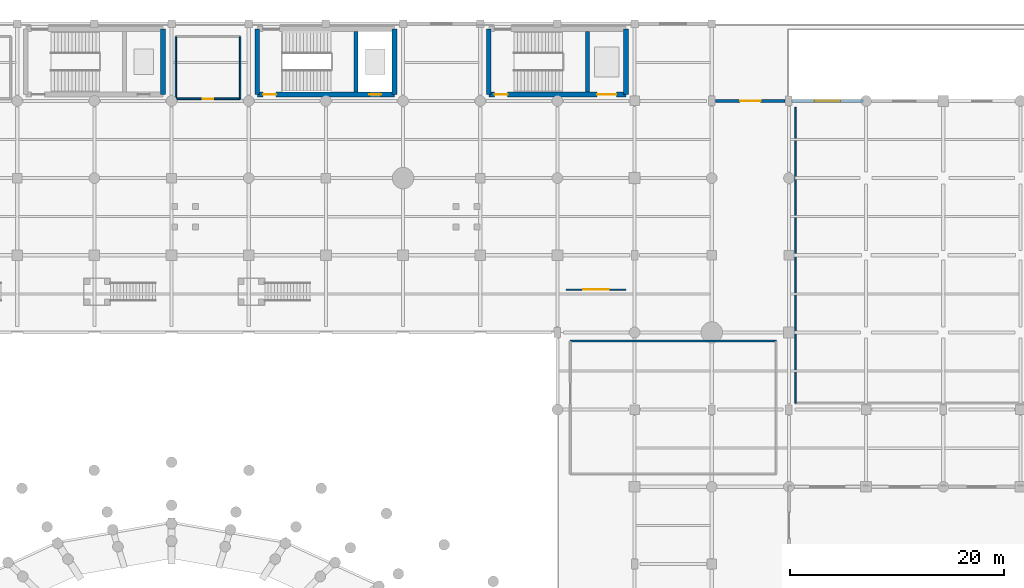
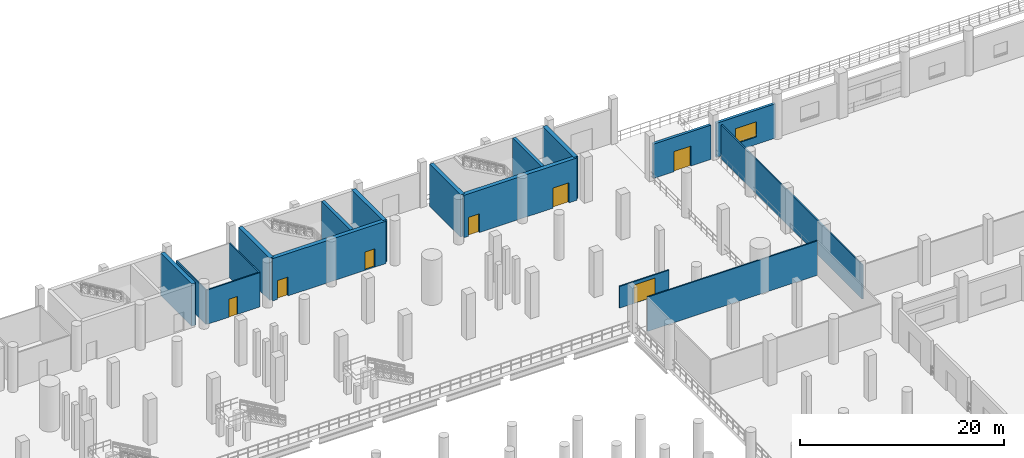
# One storey, part 38 of 58: 17 walls, 7 doors, 1 window, 8 openings.
"""IFC4 building model written with IfcOpenShell, lengths in metres."""

from ifc_helpers import new_model, si_unit, direction, frame, frame_2d, origin, place, context, subcontext, project, spatial, rectangle, extrude, material, layer, layer_set, type_object, element, fill, save


model = new_model("IFC4")

# Units and contexts
model_context = context("Model", 3, precision=1e-05, world=origin(), true_north=direction((0.0, 1.0)))
body_context = subcontext(model_context, "Body", "Model", "MODEL_VIEW")
ifc_project = project(units=[si_unit("LENGTHUNIT", "METRE"), si_unit("AREAUNIT", "SQUARE_METRE"), si_unit("VOLUMEUNIT", "CUBIC_METRE"), si_unit("PLANEANGLEUNIT", "RADIAN"), si_unit("MASSUNIT", "GRAM", prefix="KILO")], contexts=[model_context])

# Site, building, storey
site_placement = place(None, origin())
site = spatial("IfcSite", under=ifc_project, at=site_placement, CompositionType="ELEMENT")
building_placement = place(site_placement, origin())
building = spatial("IfcBuilding", under=site, at=building_placement, Name="Qandorah Velis Arena", CompositionType="ELEMENT")
storey_placement = place(building_placement, origin())
storey = spatial("IfcBuildingStorey", under=building, at=storey_placement, Name="L00", CompositionType="ELEMENT", Elevation=0.0)

# Wall, opening, door
ifc_material_1 = material(Name="Precast concrete C40/50", Category="concrete")
ifc_layer_1 = layer(ifc_material_1, 0.31005859375)
ifc_layer_set_1 = layer_set([ifc_layer_1], Name="Precast concrete C40/50")
wall_type_1 = type_object("IfcWallType", Name="ARC-WAL-EXT310", PredefinedType="SOLIDWALL", material=ifc_layer_set_1)
wall_1_placement = place(storey_placement, frame((115.550048828125, 122.39990234375, 0.0), z_axis=(0.0, 0.0, 1.0), x_axis=(1.0, 0.0, 0.0)))
wall_1 = element("IfcWall", 1, at=wall_1_placement, inside=storey, type_object=wall_type_1, Name="Perimeter concourse exit wall G28", PredefinedType="SOLIDWALL", context=body_context, shape_type="SweptSolid", body=[
    extrude(rectangle(XDim=6.5, YDim=0.31005859375, at=frame_2d((3.25, 0.0))), origin(), (0.0, 0.0, 1.0), 4.10009765625),
])
opening_1_placement = place(wall_1_placement, frame((2.300048828125, 0.0, 0.0)))
opening_1 = element("IfcOpeningElement", 2, at=opening_1_placement, cuts=wall_1, Name="Opening G28", PredefinedType="OPENING", context=body_context, shape_type="SweptSolid", body=[
    extrude(rectangle(XDim=1.89990234375, YDim=2.39990234375, at=frame_2d((0.949951171875, 1.199951171875))), frame((0.0, 0.1650390625, 0.0), z_axis=(0.0, -1.0, 0.0), x_axis=(1.0, 0.0, 0.0)), (0.0, 0.0, 1.0), 0.330078125),
])
ifc_material_2 = material(Name="Insulated galvanized steel exit door", Category="steel")
door_type_1 = type_object("IfcDoorType", Name="ARC-DR-EXT1900", OperationType="NOTDEFINED", PredefinedType="DOOR", material=ifc_material_2)
door_1_placement = place(opening_1_placement, origin())
door_1 = element("IfcDoor", 3, at=door_1_placement, inside=storey, type_object=door_type_1, Name="Pedestrian exit door G28", OperationType="SINGLE_SWING_LEFT", OverallHeight=2.39990234375, OverallWidth=1.89990234375, PredefinedType="DOOR", context=body_context, shape_type="SweptSolid", body=[
    extrude(rectangle(XDim=1.89990234375, YDim=2.39990234375, at=frame_2d((0.949951171875, 1.199951171875))), frame((0.0, 0.02490234375, 0.0), z_axis=(0.0, -1.0, 0.0), x_axis=(1.0, 0.0, 0.0)), (0.0, 0.0, 1.0), 0.050048828125),
])
fill(opening_1, door_1)

# Wall, opening, window
wall_2_placement = place(storey_placement, frame((122.64990234375, 122.39990234375, 0.0), z_axis=(0.0, 0.0, 1.0), x_axis=(1.0, 0.0, 0.0)))
wall_2 = element("IfcWall", 4, at=wall_2_placement, inside=storey, type_object=wall_type_1, Name="Precast exterior facade wall L00-01", PredefinedType="SOLIDWALL", context=body_context, shape_type="SweptSolid", body=[
    extrude(rectangle(XDim=6.7001953125, YDim=0.31005859375, at=frame_2d((3.35009765625, 0.0))), origin(), (0.0, 0.0, 1.0), 4.10009765625),
])
opening_2_placement = place(wall_2_placement, frame((2.14990234375, 0.0, 0.89990234375)))
opening_2 = element("IfcOpeningElement", 5, at=opening_2_placement, cuts=wall_2, Name="Opening W01", PredefinedType="OPENING", context=body_context, shape_type="SweptSolid", body=[
    extrude(rectangle(XDim=2.39990234375, YDim=1.800048828125, at=frame_2d((1.199951171875, 0.89990234375))), frame((0.0, 0.1650390625, 0.0), z_axis=(0.0, -1.0, 0.0), x_axis=(1.0, 0.0, 0.0)), (0.0, 0.0, 1.0), 0.330078125),
])
ifc_material_3 = material(Name="Solar-control low-E double glazing", Category="glass")
window_type = type_object("IfcWindowType", Name="ARC-WIN-2400X1800", PartitioningType="TRIPLE_PANEL_HORIZONTAL", PredefinedType="WINDOW", material=ifc_material_3)
window_placement = place(opening_2_placement, origin())
window = element("IfcWindow", 6, at=window_placement, inside=storey, type_object=window_type, Name="Exterior low-E window L00-001", OverallHeight=1.800048828125, OverallWidth=2.39990234375, PartitioningType="SINGLE_PANEL", PredefinedType="WINDOW", context=body_context, shape_type="SweptSolid", body=[
    extrude(rectangle(XDim=2.39990234375, YDim=1.800048828125, at=frame_2d((1.199951171875, 0.89990234375))), frame((0.0, 0.030029296875, 0.0), z_axis=(0.0, -1.0, 0.0), x_axis=(1.0, 0.0, 0.0)), (0.0, 0.0, 1.0), 0.06005859375),
])
fill(opening_2, window)

# Walls
ifc_material_4 = material(Name="Concrete C35/45", Category="concrete")
ifc_layer_2 = layer(ifc_material_4, 0.14990234375)
ifc_layer_set_2 = layer_set([ifc_layer_2], Name="Concrete C35/45")
wall_type_2 = type_object("IfcWallType", Name="ARC-WAL-PART150", PredefinedType="PARTITIONING", material=ifc_layer_set_2)
wall_3_placement = place(storey_placement, frame((123.0, 121.800048828125, 0.0), z_axis=(0.0, 0.0, 1.0), x_axis=(0.0, -1.0, 0.0)))
element("IfcWall", 7, at=wall_3_placement, inside=storey, type_object=wall_type_2, Name="Interior partition L00-PRAC (W)", PredefinedType="PARTITIONING", context=body_context, shape_type="SweptSolid", body=[
    extrude(rectangle(XDim=27.60009765625, YDim=0.14990234375, at=frame_2d((13.800048828125, 0.0))), origin(), (0.0, 0.0, 1.0), 4.10009765625),
])
wall_4_placement = place(storey_placement, frame((121.199951171875, 100.0, 0.0), z_axis=(0.0, 0.0, 1.0), x_axis=(-1.0, 0.0, 0.0)))
element("IfcWall", 8, at=wall_4_placement, inside=storey, type_object=wall_type_2, Name="Interior partition L00-FIT (N)", PredefinedType="PARTITIONING", context=body_context, shape_type="SweptSolid", body=[
    extrude(rectangle(XDim=19.199951171875, YDim=0.14990234375, at=frame_2d((9.60009765625, 0.0))), origin(), (0.0, 0.0, 1.0), 4.10009765625),
])

# Wall, opening, door
wall_5_placement = place(storey_placement, frame((65.199951171875, 122.60009765625, 0.0), z_axis=(0.0, 0.0, 1.0), x_axis=(1.0, 0.0, 0.0)))
wall_5 = element("IfcWall", 9, at=wall_5_placement, inside=storey, type_object=wall_type_2, Name="Interior partition L00-L00-FWC2 (S)", PredefinedType="PARTITIONING", context=body_context, shape_type="SweptSolid", body=[
    extrude(rectangle(XDim=6.0, YDim=0.14990234375, at=frame_2d((3.0, 0.0))), origin(), (0.0, 0.0, 1.0), 4.10009765625),
])
opening_3_placement = place(wall_5_placement, frame((2.52490234375, 0.0, 0.0)))
opening_3 = element("IfcOpeningElement", 10, at=opening_3_placement, cuts=wall_5, Name="Opening D4", PredefinedType="OPENING", context=body_context, shape_type="SweptSolid", body=[
    extrude(rectangle(XDim=0.949951171875, YDim=2.14990234375, at=frame_2d((0.47509765625, 1.074951171875))), frame((0.0, 0.0849609375, 0.0), z_axis=(0.0, -1.0, 0.0), x_axis=(1.0, 0.0, 0.0)), (0.0, 0.0, 1.0), 0.169921875),
])
ifc_material_5 = material(Name="Moisture-resistant laminate door")
door_type_2 = type_object("IfcDoorType", Name="ARC-DR-WC950", OperationType="NOTDEFINED", PredefinedType="DOOR", material=ifc_material_5)
door_2_placement = place(opening_3_placement, frame((0.949951171875, 0.0, 0.0), z_axis=(0.0, 0.0, 1.0), x_axis=(-1.0, 0.0, 0.0)))
door_2 = element("IfcDoor", 11, at=door_2_placement, inside=storey, type_object=door_type_2, Name="Door L00-L00-FWC2", OperationType="SINGLE_SWING_RIGHT", OverallHeight=2.14990234375, OverallWidth=0.949951171875, PredefinedType="DOOR", context=body_context, shape_type="SweptSolid", body=[
    extrude(rectangle(XDim=0.949951171875, YDim=2.14990234375, at=frame_2d((0.47509765625, 1.074951171875))), frame((0.0, 0.02490234375, 0.0), z_axis=(0.0, -1.0, 0.0), x_axis=(1.0, 0.0, 0.0)), (0.0, 0.0, 1.0), 0.050048828125),
])
fill(opening_3, door_2)

# Walls
for number, where, z_axis, x_axis, name in (
    (12, (71.199951171875, 122.60009765625, 0.0), (0.0, 0.0, 1.0), (0.0, 1.0, 0.0), "Interior partition L00-L00-FWC2 (E)"),
    (13, (65.199951171875, 128.39990234375, 0.0), (0.0, 0.0, 1.0), (0.0, -1.0, 0.0), "Interior partition L00-L00-FWC2 (W)"),
):
    element("IfcWall", number, at=place(storey_placement, frame(where, z_axis=z_axis, x_axis=x_axis)), inside=storey, type_object=wall_type_2, Name=name, PredefinedType="PARTITIONING", context=body_context, shape_type="SweptSolid", body=[
        extrude(rectangle(XDim=5.7998046875, YDim=0.14990234375, at=frame_2d((2.89990234375, 0.0))), origin(), (0.0, 0.0, 1.0), 4.10009765625),
    ])

# Wall, opening, door
wall_6_placement = place(storey_placement, frame((101.60009765625, 104.800048828125, 0.0), z_axis=(0.0, 0.0, 1.0), x_axis=(1.0, 0.0, 0.0)))
wall_6 = element("IfcWall", 14, at=wall_6_placement, inside=storey, type_object=wall_type_2, Name="Concourse control screen wall 04", PredefinedType="PARTITIONING", context=body_context, shape_type="SweptSolid", body=[
    extrude(rectangle(XDim=5.599853515625, YDim=0.14990234375, at=frame_2d((2.7998046875, 0.0))), origin(), (0.0, 0.0, 1.0), 2.60009765625),
])
opening_4_placement = place(wall_6_placement, frame((1.60009765625, 0.0, 0.0)))
opening_4 = element("IfcOpeningElement", 15, at=opening_4_placement, cuts=wall_6, Name="Opening GT1", PredefinedType="OPENING", context=body_context, shape_type="SweptSolid", body=[
    extrude(rectangle(XDim=2.39990234375, YDim=2.199951171875, at=frame_2d((1.199951171875, 1.10009765625))), frame((0.0, 0.0849609375, 0.0), z_axis=(0.0, -1.0, 0.0), x_axis=(1.0, 0.0, 0.0)), (0.0, 0.0, 1.0), 0.169921875),
])
ifc_material_6 = material(Name="Galvanized steel concourse vomitory gate", Category="steel")
door_type_3 = type_object("IfcDoorType", Name="ARC-DR-GAT2400", OperationType="NOTDEFINED", PredefinedType="GATE", material=ifc_material_6)
door_3_placement = place(opening_4_placement, origin())
door_3 = element("IfcDoor", 16, at=door_3_placement, inside=storey, type_object=door_type_3, Name="Concourse vomitory gate GT4", OperationType="DOUBLE_DOOR_SINGLE_SWING", OverallHeight=2.199951171875, OverallWidth=2.39990234375, PredefinedType="GATE", context=body_context, shape_type="SweptSolid", body=[
    extrude(rectangle(XDim=2.39990234375, YDim=2.199951171875, at=frame_2d((1.199951171875, 1.10009765625))), frame((0.0, 0.02490234375, 0.0), z_axis=(0.0, -1.0, 0.0), x_axis=(1.0, 0.0, 0.0)), (0.0, 0.0, 1.0), 0.050048828125),
])
fill(opening_4, door_3)

# Wall, openings, doors
ifc_material_7 = material(Name="Concrete C40/50", Category="concrete")
ifc_layer_3 = layer(ifc_material_7, 0.449951171875)
ifc_layer_set_3 = layer_set([ifc_layer_3], Name="Concrete C40/50")
wall_type_3 = type_object("IfcWallType", Name="STR-WAL-CORE450", PredefinedType="SHEAR", material=ifc_layer_set_3)
wall_7_placement = place(storey_placement, frame((72.800048828125, 123.0, 0.0), z_axis=(0.0, 0.0, 1.0), x_axis=(1.0, 0.0, 0.0)))
wall_7 = element("IfcWall", 17, at=wall_7_placement, inside=storey, type_object=wall_type_3, Name="Core CORE-04 shear wall S (L00)", PredefinedType="SHEAR", context=body_context, shape_type="SweptSolid", body=[
    extrude(rectangle(XDim=12.800048828125, YDim=0.449951171875, at=frame_2d((6.39990234375, 0.0))), origin(), (0.0, 0.0, 1.0), 5.06005859375),
])
opening_5_placement = place(wall_7_placement, frame((0.550048828125, 0.0, 0.0)))
opening_5 = element("IfcOpeningElement", 18, at=opening_5_placement, cuts=wall_7, Name="Opening SD1", PredefinedType="OPENING", context=body_context, shape_type="SweptSolid", body=[
    extrude(rectangle(XDim=1.199951171875, YDim=2.25, at=frame_2d((0.60009765625, 1.125))), frame((0.0, 0.23486328125, 0.0), z_axis=(0.0, -1.0, 0.0), x_axis=(1.0, 0.0, 0.0)), (0.0, 0.0, 1.0), 0.469970703125),
])
opening_6_placement = place(wall_7_placement, frame((10.4580078125, 0.0, 0.0)))
opening_6 = element("IfcOpeningElement", 19, at=opening_6_placement, cuts=wall_7, Name="Opening LD1", PredefinedType="OPENING", context=body_context, shape_type="SweptSolid", body=[
    extrude(rectangle(XDim=1.10009765625, YDim=2.199951171875, at=frame_2d((0.550048828125, 1.10009765625))), frame((0.0, 0.23486328125, 0.0), z_axis=(0.0, -1.0, 0.0), x_axis=(1.0, 0.0, 0.0)), (0.0, 0.0, 1.0), 0.469970703125),
])
ifc_material_8 = material(Name="Stainless steel sliding lift landing door", Category="steel")
door_type_4 = type_object("IfcDoorType", Name="ARC-DR-LD1100", OperationType="NOTDEFINED", PredefinedType="DOOR", material=ifc_material_8)
door_4_placement = place(opening_6_placement, origin())
door_4 = element("IfcDoor", 20, at=door_4_placement, inside=storey, type_object=door_type_4, Name="Lift PL2 sliding landing door (L00)", OperationType="SLIDING_TO_RIGHT", OverallHeight=2.199951171875, OverallWidth=1.10009765625, PredefinedType="DOOR", context=body_context, shape_type="SweptSolid", body=[
    extrude(rectangle(XDim=1.10009765625, YDim=2.199951171875, at=frame_2d((0.550048828125, 1.10009765625))), frame((0.0, 0.02490234375, 0.0), z_axis=(0.0, -1.0, 0.0), x_axis=(1.0, 0.0, 0.0)), (0.0, 0.0, 1.0), 0.050048828125),
])
fill(opening_6, door_4)
ifc_material_9 = material(Name="Self-closing fire-rated stair steel door", Category="steel")
door_type_5 = type_object("IfcDoorType", Name="ARC-DR-ST1200", OperationType="NOTDEFINED", PredefinedType="DOOR", material=ifc_material_9)
door_5_placement = place(opening_5_placement, frame((1.199951171875, 0.0, 0.0), z_axis=(0.0, 0.0, 1.0), x_axis=(-1.0, 0.0, 0.0)))
door_5 = element("IfcDoor", 21, at=door_5_placement, inside=storey, type_object=door_type_5, Name="Stair ST4 fire door (L00)", OperationType="SINGLE_SWING_RIGHT", OverallHeight=2.25, OverallWidth=1.199951171875, PredefinedType="DOOR", context=body_context, shape_type="SweptSolid", body=[
    extrude(rectangle(XDim=1.199951171875, YDim=2.25, at=frame_2d((0.60009765625, 1.125))), frame((0.0, 0.02490234375, 0.0), z_axis=(0.0, -1.0, 0.0), x_axis=(1.0, 0.0, 0.0)), (0.0, 0.0, 1.0), 0.050048828125),
])
fill(opening_5, door_5)

# Walls
for number, where, z_axis, x_axis, name in (
    (22, (72.800048828125, 123.0, 0.0), (0.0, 0.0, 1.0), (0.0, 1.0, 0.0), "Core CORE-04 shear wall W (L00)"),
    (23, (85.60009765625, 123.0, 0.0), (0.0, 0.0, 1.0), (0.0, 1.0, 0.0), "Core CORE-04 shear wall E (L00)"),
    (24, (64.0, 123.0, 0.0), (0.0, 0.0, 1.0), (0.0, 1.0, 0.0), "Core CORE-10 shear wall E (L00)"),
):
    element("IfcWall", number, at=place(storey_placement, frame(where, z_axis=z_axis, x_axis=x_axis)), inside=storey, type_object=wall_type_3, Name=name, PredefinedType="SHEAR", context=body_context, shape_type="SweptSolid", body=[
        extrude(rectangle(XDim=6.10009765625, YDim=0.449951171875, at=frame_2d((3.050048828125, 0.0))), origin(), (0.0, 0.0, 1.0), 5.06005859375),
    ])

# Wall, openings, doors
wall_8_placement = place(storey_placement, frame((94.39990234375, 123.0, 0.0), z_axis=(0.0, 0.0, 1.0), x_axis=(1.0, 0.0, 0.0)))
wall_8 = element("IfcWall", 25, at=wall_8_placement, inside=storey, type_object=wall_type_3, Name="Core CORE-12 shear wall S (L00)", PredefinedType="SHEAR", context=body_context, shape_type="SweptSolid", body=[
    extrude(rectangle(XDim=12.800048828125, YDim=0.449951171875, at=frame_2d((6.39990234375, 0.0))), origin(), (0.0, 0.0, 1.0), 5.06005859375),
])
opening_7_placement = place(wall_8_placement, frame((0.550048828125, 0.0, 0.0)))
opening_7 = element("IfcOpeningElement", 26, at=opening_7_placement, cuts=wall_8, Name="Opening SD1", PredefinedType="OPENING", context=body_context, shape_type="SweptSolid", body=[
    extrude(rectangle(XDim=1.199951171875, YDim=2.25, at=frame_2d((0.60009765625, 1.125))), frame((0.0, 0.23486328125, 0.0), z_axis=(0.0, -1.0, 0.0), x_axis=(1.0, 0.0, 0.0)), (0.0, 0.0, 1.0), 0.469970703125),
])
opening_8_placement = place(wall_8_placement, frame((10.10791015625, 0.0, 0.0)))
opening_8 = element("IfcOpeningElement", 27, at=opening_8_placement, cuts=wall_8, Name="Opening LD3", PredefinedType="OPENING", context=body_context, shape_type="SweptSolid", body=[
    extrude(rectangle(XDim=1.800048828125, YDim=2.39990234375, at=frame_2d((0.89990234375, 1.199951171875))), frame((0.0, 0.23486328125, 0.0), z_axis=(0.0, -1.0, 0.0), x_axis=(1.0, 0.0, 0.0)), (0.0, 0.0, 1.0), 0.469970703125),
])
ifc_material_10 = material(Name="Goods stainless bi-parting lift landing door", Category="steel")
door_type_6 = type_object("IfcDoorType", Name="ARC-DR-LD1800", OperationType="NOTDEFINED", PredefinedType="DOOR", material=ifc_material_10)
door_6_placement = place(opening_8_placement, origin())
door_6 = element("IfcDoor", 28, at=door_6_placement, inside=storey, type_object=door_type_6, Name="Lift GL2 sliding landing door (L00)", OperationType="SLIDING_TO_LEFT", OverallHeight=2.39990234375, OverallWidth=1.800048828125, PredefinedType="DOOR", context=body_context, shape_type="SweptSolid", body=[
    extrude(rectangle(XDim=1.800048828125, YDim=2.39990234375, at=frame_2d((0.89990234375, 1.199951171875))), frame((0.0, 0.02490234375, 0.0), z_axis=(0.0, -1.0, 0.0), x_axis=(1.0, 0.0, 0.0)), (0.0, 0.0, 1.0), 0.050048828125),
])
fill(opening_8, door_6)
door_7_placement = place(opening_7_placement, frame((1.199951171875, 0.0, 0.0), z_axis=(0.0, 0.0, 1.0), x_axis=(-1.0, 0.0, 0.0)))
door_7 = element("IfcDoor", 29, at=door_7_placement, inside=storey, type_object=door_type_5, Name="Stair ST12 fire door (L00)", OperationType="SINGLE_SWING_RIGHT", OverallHeight=2.25, OverallWidth=1.199951171875, PredefinedType="DOOR", context=body_context, shape_type="SweptSolid", body=[
    extrude(rectangle(XDim=1.199951171875, YDim=2.25, at=frame_2d((0.60009765625, 1.125))), frame((0.0, 0.02490234375, 0.0), z_axis=(0.0, -1.0, 0.0), x_axis=(1.0, 0.0, 0.0)), (0.0, 0.0, 1.0), 0.050048828125),
])
fill(opening_7, door_7)

# Walls
for number, where, z_axis, x_axis, name in (
    (30, (94.39990234375, 123.0, 0.0), (0.0, 0.0, 1.0), (0.0, 1.0, 0.0), "Core CORE-12 shear wall W (L00)"),
    (31, (107.199951171875, 123.0, 0.0), (0.0, 0.0, 1.0), (0.0, 1.0, 0.0), "Core CORE-12 shear wall E (L00)"),
):
    element("IfcWall", number, at=place(storey_placement, frame(where, z_axis=z_axis, x_axis=x_axis)), inside=storey, type_object=wall_type_3, Name=name, PredefinedType="SHEAR", context=body_context, shape_type="SweptSolid", body=[
        extrude(rectangle(XDim=6.10009765625, YDim=0.449951171875, at=frame_2d((3.050048828125, 0.0))), origin(), (0.0, 0.0, 1.0), 5.06005859375),
    ])
ifc_layer_4 = layer(ifc_material_7, 0.35009765625)
ifc_layer_set_4 = layer_set([ifc_layer_4], Name="Concrete C40/50")
wall_type_4 = type_object("IfcWallType", Name="STR-WAL-SH350", PredefinedType="SHEAR", material=ifc_layer_set_4)
for number, where, z_axis, x_axis, name in (
    (32, (82.01611328125, 123.22509765625, 0.0), (0.0, 0.0, 1.0), (0.0, 1.0, 0.0), "Core CORE-04 shaft divider shear wall (L00)"),
    (33, (103.615966796875, 123.22509765625, 0.0), (0.0, 0.0, 1.0), (0.0, 1.0, 0.0), "Core CORE-12 shaft divider shear wall (L00)"),
):
    element("IfcWall", number, at=place(storey_placement, frame(where, z_axis=z_axis, x_axis=x_axis)), inside=storey, type_object=wall_type_4, Name=name, PredefinedType="SHEAR", context=body_context, shape_type="SweptSolid", body=[
        extrude(rectangle(XDim=5.64990234375, YDim=0.35009765625, at=frame_2d((2.824951171875, 0.0))), origin(), (0.0, 0.0, 1.0), 5.06005859375),
    ])

save(model, "model.ifc")
